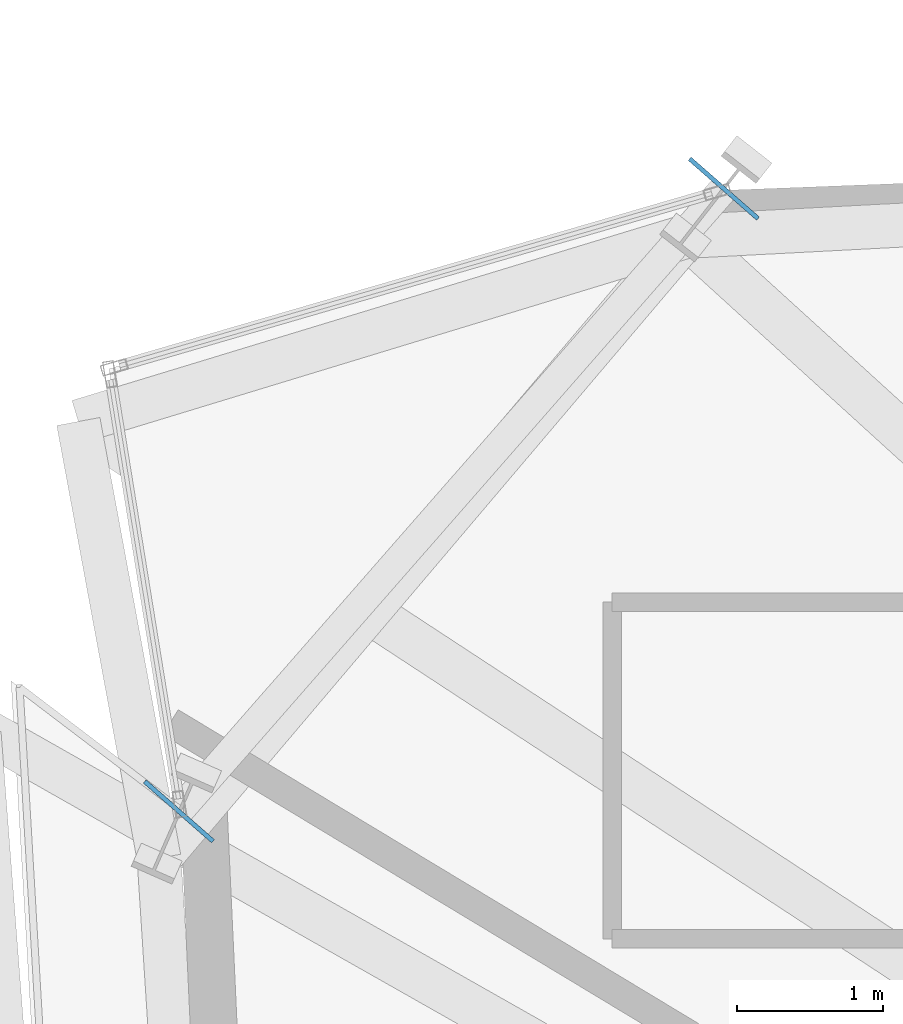
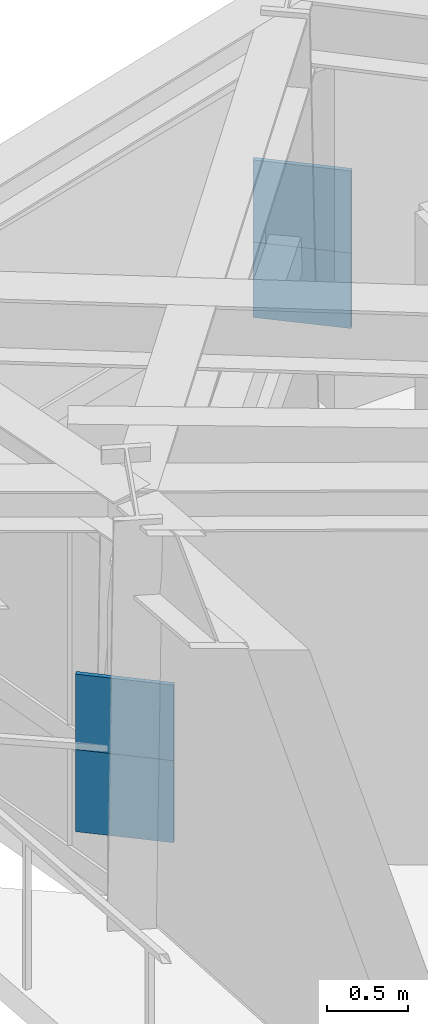
# One storey, part 11 of 19: 4 plates.
"""IFC4 building model written with IfcOpenShell, lengths in metres."""

from ifc_helpers import new_model, si_unit, direction, frame, origin, origin_2d, place, context, subcontext, project, spatial, rectangle, extrude, source, transform, mapped, material, type_object, element, save


model = new_model("IFC4")

# Units and contexts
model_context = context("Model", 3, precision=1e-05, world=origin(), true_north=direction((0.0, 1.0)))
body_context = subcontext(model_context, "Body", "Model", "MODEL_VIEW")
ifc_project = project(units=[si_unit("LENGTHUNIT", "METRE"), si_unit("AREAUNIT", "SQUARE_METRE"), si_unit("VOLUMEUNIT", "CUBIC_METRE"), si_unit("PLANEANGLEUNIT", "RADIAN"), si_unit("MASSUNIT", "GRAM", prefix="KILO")], contexts=[model_context])

# Site, building, storey
site_placement = place(None, origin())
site = spatial("IfcSite", under=ifc_project, at=site_placement, CompositionType="ELEMENT")
building_placement = place(site_placement, origin())
building = spatial("IfcBuilding", under=site, at=building_placement, Name="Olszyna Solenne Hotel", CompositionType="ELEMENT")
storey_placement = place(building_placement, frame((0.0, 0.0, 102.14990234375)))
storey = spatial("IfcBuildingStorey", under=building, at=storey_placement, Name="L26", CompositionType="ELEMENT", Elevation=102.14990234375)

# Plates
ifc_material = material(Name="Steel S460M", Category="steel")
plate_type = type_object("IfcPlateType", Name="GP-CAP2", PredefinedType="USERDEFINED", material=ifc_material)
shared_shape = source(origin(), body_context, "Body", "SweptSolid", [
    extrude(rectangle(XDim=0.030029296875, YDim=0.6201171875, at=origin_2d()), origin(), (0.0, 0.0, 1.0), 0.6201171875),
])
for number, where, z_axis, x_axis, name in (
    (1, (20.477294921875, 43.09521484375, 1.0400390625), (0.0, 0.0, 1.0), (-0.658689460119, -0.752414908896, 0.0), "Hollow section end-cap plate GP-CAP2 CP-PR-M-L26-PR1-1"),
    (2, (16.754150390625, 38.841796875, 1.0400390625), (0.0, 0.0, 1.0), (-0.658689460119, -0.752414908896, 0.0), "Hollow section end-cap plate GP-CAP2 CP-PR-M-L26-PR1-2"),
    (3, (20.477294921875, 43.09521484375, 0.469970703125), (0.0, 0.0, 1.0), (-0.658689460119, -0.752414908896, 0.0), "Hollow section end-cap plate GP-CAP2 CP-PR-M-L26-PR2-1"),
    (4, (16.754150390625, 38.841796875, 0.469970703125), (0.0, 0.0, 1.0), (-0.658689460119, -0.752414908896, 0.0), "Hollow section end-cap plate GP-CAP2 CP-PR-M-L26-PR2-2"),
):
    element("IfcPlate", number, at=place(storey_placement, frame(where, z_axis=z_axis, x_axis=x_axis)), inside=storey, type_object=plate_type, Name=name, ObjectType="GUSSET_PLATE", PredefinedType="USERDEFINED", context=body_context, shape_type="MappedRepresentation", body=[
        mapped(shared_shape, transform((0.0, 0.0, 0.0), x_axis=(1.0, 0.0, 0.0), y_axis=(0.0, 1.0, 0.0), z_axis=(0.0, 0.0, 1.0), scale=1.0)),
    ])

save(model, "model.ifc")
